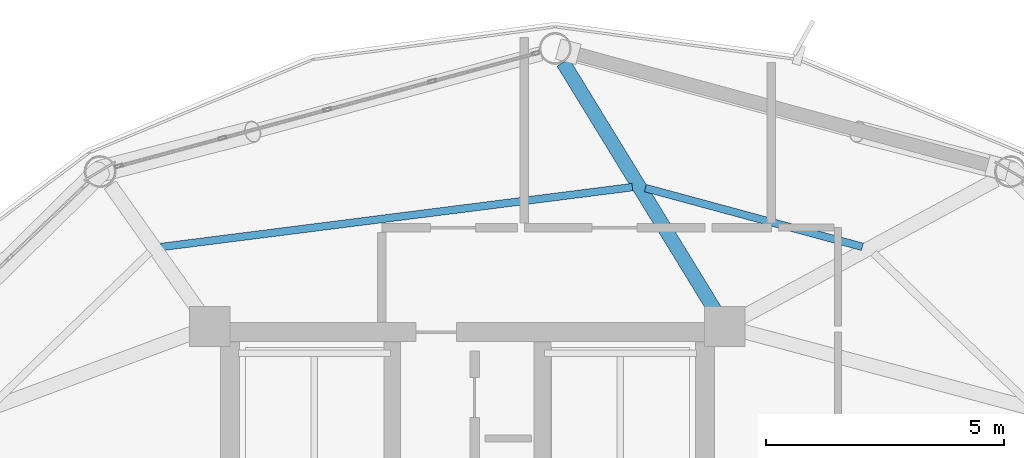
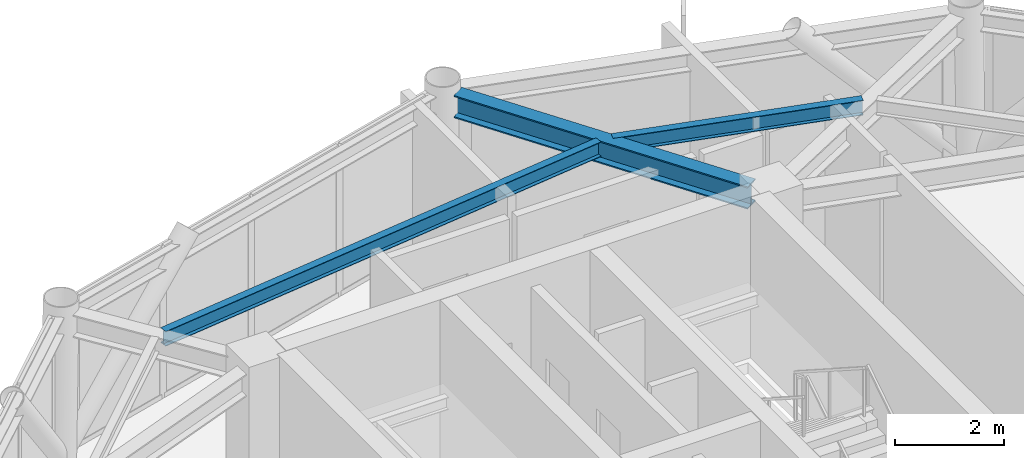
# One storey, part 19 of 28: 3 beams.
"""IFC4 building model written with IfcOpenShell, lengths in metres."""

import ifcopenshell
import ifcopenshell.guid

model = None  # the IFC model being written
_history = None  # IfcOwnerHistory: only IFC2X3 demands one
_inside = {}  # id of a spatial element -> (the spatial element, [elements in it])
_under = {}  # id of a project, library or spatial element -> (it, [spatial elements below it])
_declared = {}  # id of a project -> (the project, [libraries it declares])
_typed = {}  # id of a type object -> (the type object, [elements of that type])
_made_of = {}  # id of a material, layer set ... -> (it, [elements and type objects made of it])


def new_model(schema):
    """Start an empty IFC model of exactly this schema.

    Asked for "IFC4X3", IfcOpenShell would pick the latest addendum, in which some entities
    have other attributes; the version numbers below select the first issue.
    IFC2X3 requires an IfcOwnerHistory on every rooted entity: one is made here for all.
    """
    global model, _history
    if schema == "IFC4X3":
        model = ifcopenshell.file(schema_version=(4, 3, 0, 0))
    else:
        model = ifcopenshell.file(schema=schema)
    _inside.clear()
    _under.clear()
    _declared.clear()
    _typed.clear()
    _made_of.clear()
    _history = None
    if model.schema == "IFC2X3":
        org = make("IfcOrganization", Name="unknown")
        user = make(
            "IfcPersonAndOrganization",
            ThePerson=make("IfcPerson", FamilyName="unknown"),
            TheOrganization=org,
        )
        app = make(
            "IfcApplication",
            ApplicationDeveloper=org,
            Version="unknown",
            ApplicationFullName="unknown",
            ApplicationIdentifier="unknown",
        )
        _history = make(
            "IfcOwnerHistory",
            OwningUser=user,
            OwningApplication=app,
            ChangeAction="ADDED",
            CreationDate=0,
        )
    return model


def make(cls, **values):
    """One entity of the class cls with the attributes given. An attribute that is None is left unset."""
    return model.create_entity(
        cls, **{name: value for name, value in values.items() if value is not None}
    )


def rooted(cls, **values):
    """An entity with a GlobalId (a new one), such as an element, a storey or a relation."""
    return make(cls, GlobalId=ifcopenshell.guid.new(), OwnerHistory=_history, **values)


def si_unit(unit_type, name, prefix=None):
    """IfcSIUnit, for example si_unit("LENGTHUNIT", "METRE", prefix="MILLI")."""
    return make("IfcSIUnit", UnitType=unit_type, Prefix=prefix, Name=name)


def assignment(units):
    """IfcUnitAssignment: the units of a project."""
    return None if units is None else make("IfcUnitAssignment", Units=units)


def point(xyz):
    """IfcCartesianPoint."""
    return None if xyz is None else make("IfcCartesianPoint", Coordinates=xyz)


def direction(xyz):
    """IfcDirection."""
    return None if xyz is None else make("IfcDirection", DirectionRatios=xyz)


def frame(location, z_axis=None, x_axis=None):
    """IfcAxis2Placement3D, a coordinate frame: its origin and axes. An axis left out is left unset."""
    return make(
        "IfcAxis2Placement3D",
        Location=point(location),
        Axis=direction(z_axis),
        RefDirection=direction(x_axis),
    )


def frame_2d(location, x_axis=None):
    """IfcAxis2Placement2D, a coordinate frame in the plane: its origin and x axis."""
    return make(
        "IfcAxis2Placement2D", Location=point(location), RefDirection=direction(x_axis)
    )


def origin():
    """The frame at (0, 0, 0) with its axes left unset."""
    return frame((0.0, 0.0, 0.0))


def origin_2d():
    """The frame at (0, 0) in the plane with its x axis left unset."""
    return frame_2d((0.0, 0.0))


def place(relative_to, where):
    """IfcLocalPlacement: puts the frame where relative to a parent placement (None: the world)."""
    return make(
        "IfcLocalPlacement", PlacementRelTo=relative_to, RelativePlacement=where
    )


def context(
    kind, dimensions, precision=None, world=None, true_north=None, identifier=None
):
    """IfcGeometricRepresentationContext, for example the 3D "Model" context."""
    return make(
        "IfcGeometricRepresentationContext",
        ContextIdentifier=identifier,
        ContextType=kind,
        CoordinateSpaceDimension=dimensions,
        Precision=precision,
        WorldCoordinateSystem=world,
        TrueNorth=true_north,
    )


def subcontext(parent, identifier, kind, view, scale=None):
    """IfcGeometricRepresentationSubContext, for example "Body" below "Model"."""
    return make(
        "IfcGeometricRepresentationSubContext",
        ContextIdentifier=identifier,
        ContextType=kind,
        ParentContext=parent,
        TargetScale=scale,
        TargetView=view,
    )


def project(units=None, contexts=None):
    """IfcProject with its units and contexts."""
    return rooted(
        "IfcProject",
        Name="project",
        RepresentationContexts=contexts,
        UnitsInContext=assignment(units),
    )


def spatial(cls, under=None, at=None, **own):
    """A site, building, storey or space (cls), placed at a placement, below another one or the project."""
    s = rooted(cls, ObjectPlacement=at, **own)
    if under is not None:
        _under.setdefault(under.id(), (under, []))[1].append(s)
    return s


def profile(cls, at=None, kind="AREA", **sizes):
    """A parametric profile (cls). Its sizes go by their IFC names, for example OverallWidth=200.0."""
    return make(cls, ProfileType=kind, Position=at, **sizes)


def i_section(**sizes):
    """IfcIShapeProfileDef."""
    return profile("IfcIShapeProfileDef", **sizes)


def extrude(swept, where, along, depth):
    """IfcExtrudedAreaSolid: the profile swept, set in the frame where, extruded along a direction by depth."""
    return make(
        "IfcExtrudedAreaSolid",
        SweptArea=swept,
        Position=where,
        ExtrudedDirection=direction(along),
        Depth=depth,
    )


def shape(context_of_items, identifier, shape_type, items):
    """IfcShapeRepresentation: the items that make up one representation, for example the "Body"."""
    return make(
        "IfcShapeRepresentation",
        ContextOfItems=context_of_items,
        RepresentationIdentifier=identifier,
        RepresentationType=shape_type,
        Items=items,
    )


def material(Name=None, Category=None):
    """IfcMaterial."""
    return make("IfcMaterial", Name=Name, Category=Category)


def material_profile(
    of_material, cross_section, Name=None, Category=None, Priority=None
):
    """IfcMaterialProfile: a cross section and its material."""
    return make(
        "IfcMaterialProfile",
        Name=Name,
        Material=of_material,
        Profile=cross_section,
        Priority=Priority,
        Category=Category,
    )


def profile_set(profiles, Name=None, composite=None):
    """IfcMaterialProfileSet."""
    return make(
        "IfcMaterialProfileSet",
        Name=Name,
        MaterialProfiles=profiles,
        CompositeProfile=composite,
    )


def made_of(thing, what):
    """Note that an element or type object is made of a material, layer set ...; save() writes the relation."""
    if what is not None:
        _made_of.setdefault(what.id(), (what, []))[1].append(thing)
    return thing


def type_object(cls, material=None, **own):
    """A type object (cls), such as IfcWallType, which elements share."""
    return made_of(rooted(cls, **own), material)


def element(
    cls,
    number,
    at=None,
    inside=None,
    cuts=None,
    type_object=None,
    material=None,
    context=None,
    identifier="Body",
    shape_type=None,
    held_by="IfcProductDefinitionShape",
    body=None,
    shapes=None,
    **own,
):
    """One element of the class cls, such as IfcWall. Its Tag is "e" and its number.

    at: its placement. inside: the storey or other place that contains it. cuts: it is an
    opening in that element (IfcRelVoidsElement). A single representation is given by context,
    identifier, shape_type and body (its items); several are given by shapes. held_by: the class
    of the entity that holds the representations. save() writes the other relations.
    """
    e = rooted(cls, Tag="e%d" % number, ObjectPlacement=at, **own)
    if body is not None:
        shapes = [shape(context, identifier, shape_type, body)]
    if shapes is not None:
        e.Representation = make(held_by, Representations=shapes)
    if inside is not None:
        _inside.setdefault(inside.id(), (inside, []))[1].append(e)
    if cuts is not None:
        rooted(
            "IfcRelVoidsElement", RelatingBuildingElement=cuts, RelatedOpeningElement=e
        )
    if type_object is not None:
        _typed.setdefault(type_object.id(), (type_object, []))[1].append(e)
    return made_of(e, material)


def aggregate(whole, parts):
    """IfcRelAggregates: a whole, such as a stair, and the parts it consists of."""
    return rooted("IfcRelAggregates", RelatingObject=whole, RelatedObjects=parts)


def save(model, path):
    """Write the relations noted so far, then the file.

    IfcRelAggregates (storeys below a building ...), IfcRelContainedInSpatialStructure (elements
    in a storey), IfcRelDefinesByType, IfcRelAssociatesMaterial and IfcRelDeclares: one each for
    every whole, place, type object, material and project.
    """
    for whole, parts in _under.values():
        aggregate(whole, parts)
    for where, things in _inside.values():
        rooted(
            "IfcRelContainedInSpatialStructure",
            RelatedElements=things,
            RelatingStructure=where,
        )
    for kind, things in _typed.values():
        rooted("IfcRelDefinesByType", RelatedObjects=things, RelatingType=kind)
    for what, things in _made_of.values():
        rooted("IfcRelAssociatesMaterial", RelatedObjects=things, RelatingMaterial=what)
    for by, libraries in _declared.values():
        rooted("IfcRelDeclares", RelatingContext=by, RelatedDefinitions=libraries)
    model.write(path)


model = new_model("IFC4")

# Units and contexts
model_context = context("Model", 3, precision=1e-05, world=origin(), true_north=direction((0.0, 1.0)))
body_context = subcontext(model_context, "Body", "Model", "MODEL_VIEW")
ifc_project = project(units=[si_unit("LENGTHUNIT", "METRE"), si_unit("AREAUNIT", "SQUARE_METRE"), si_unit("VOLUMEUNIT", "CUBIC_METRE"), si_unit("PLANEANGLEUNIT", "RADIAN"), si_unit("MASSUNIT", "GRAM", prefix="KILO")], contexts=[model_context])

# Site, building, storey
site_placement = place(None, origin())
site = spatial("IfcSite", under=ifc_project, at=site_placement, CompositionType="ELEMENT")
building_placement = place(site_placement, origin())
building = spatial("IfcBuilding", under=site, at=building_placement, Name="Varnakorn Sky Granary", CompositionType="ELEMENT")
storey_placement = place(building_placement, frame((0.0, 0.0, 204.0)))
storey = spatial("IfcBuildingStorey", under=building, at=storey_placement, Name="L51", CompositionType="ELEMENT", Elevation=204.0)

# Beams
ifc_material = material(Name="Steel S355JR", Category="steel")
ifc_material_profile_1 = material_profile(ifc_material, i_section(OverallWidth=0.300048828125, OverallDepth=0.5, WebThickness=0.014404296875, FlangeThickness=0.028076171875, at=origin_2d()), Name="HE 500 B")
ifc_profile_set_1 = profile_set([ifc_material_profile_1], Name="Steel S355JR")
beam_type_1 = type_object("IfcBeamType", Name="BM-RAD-Z4", PredefinedType="BEAM", material=ifc_profile_set_1)
beam_1_placement = place(storey_placement, frame((8.20849609375, 12.96533203125, 3.110107421875), z_axis=(-0.522549881243, 0.852608715421, 0.0), x_axis=(-0.852608715421, -0.522549881243, 0.0)))
element("IfcBeam", 1, at=beam_1_placement, inside=storey, type_object=beam_type_1, Name="Radial Floor Girder RG04 L51", PredefinedType="BEAM", context=body_context, shape_type="SweptSolid", body=[
    extrude(i_section(OverallWidth=0.300048828125, OverallDepth=0.5, WebThickness=0.014404296875, FlangeThickness=0.028076171875, at=origin_2d()), origin(), (0.0, 0.0, 1.0), 6.112060546875),
])
ifc_material_profile_2 = material_profile(ifc_material, i_section(OverallWidth=0.159912109375, OverallDepth=0.330078125, WebThickness=0.007568359375, FlangeThickness=0.011474609375, at=origin_2d()), Name="IPE 330")
ifc_profile_set_2 = profile_set([ifc_material_profile_2], Name="Steel S355JR")
beam_type_2 = type_object("IfcBeamType", Name="BM-SEC-Z4", PredefinedType="BEAM", material=ifc_profile_set_2)
beam_2_placement = place(storey_placement, frame((11.315673828125, 14.29638671875, 3.195068359375), z_axis=(-0.965208747369, 0.261480542301, 0.0), x_axis=(-0.261480542301, -0.965208747369, 0.0)))
element("IfcBeam", 2, at=beam_2_placement, inside=storey, type_object=beam_type_2, Name="Secondary Floor Chord Beam MSB03 L51", PredefinedType="BEAM", context=body_context, shape_type="SweptSolid", body=[
    extrude(i_section(OverallWidth=0.159912109375, OverallDepth=0.330078125, WebThickness=0.007568359375, FlangeThickness=0.011474609375, at=origin_2d()), origin(), (0.0, 0.0, 1.0), 4.73388671875),
])
beam_3_placement = place(storey_placement, frame((6.47265625, 15.55322265625, 3.195068359375), z_axis=(-0.992028013982, -0.126017536376, 0.0), x_axis=(0.126017536376, -0.992028013982, 0.0)))
element("IfcBeam", 3, at=beam_3_placement, inside=storey, type_object=beam_type_2, Name="Secondary Floor Chord Beam MSB04 L51", PredefinedType="BEAM", context=body_context, shape_type="SweptSolid", body=[
    extrude(i_section(OverallWidth=0.159912109375, OverallDepth=0.330078125, WebThickness=0.007568359375, FlangeThickness=0.011474609375, at=origin_2d()), origin(), (0.0, 0.0, 1.0), 10.000732421875),
])

save(model, "model.ifc")
